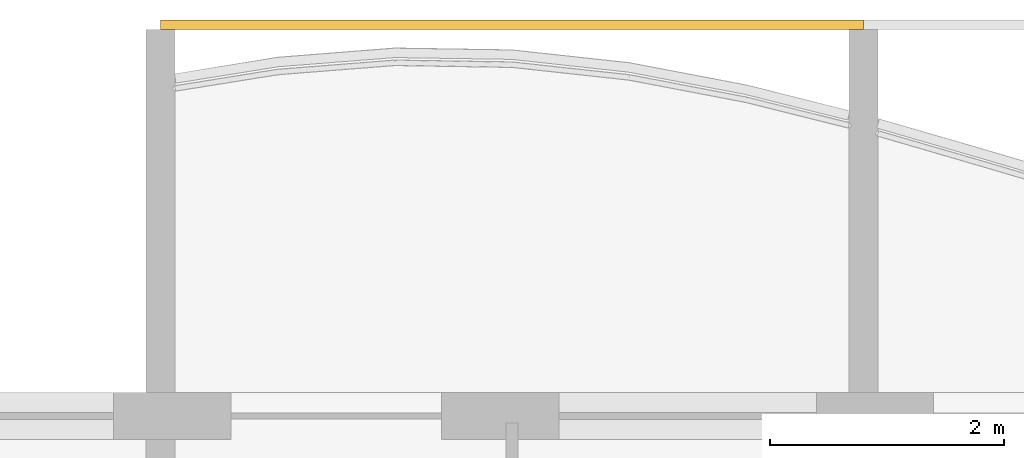
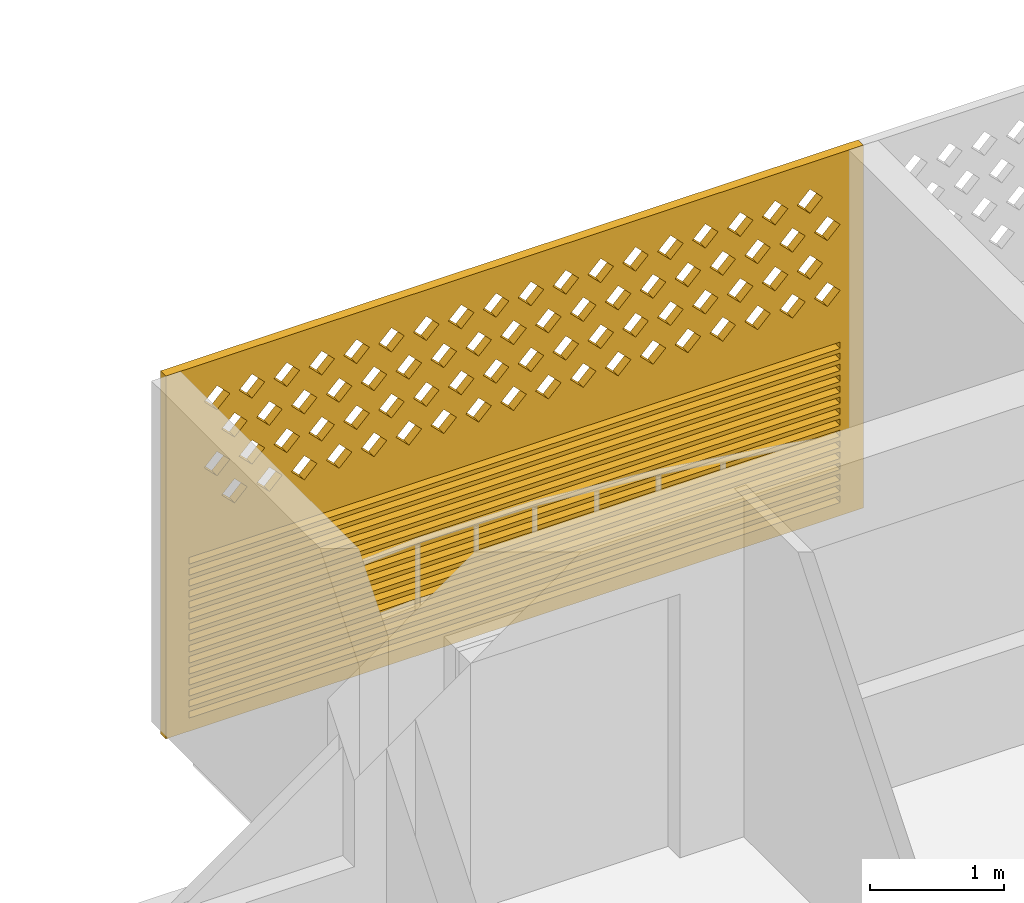
# One storey, part 22 of 28: 1 covering.
"""IFC4 building model written with IfcOpenShell, lengths in metres."""

from ifc_helpers import new_model, si_unit, direction, frame, origin, place, context, subcontext, project, spatial, polyline, outline, extrude, source, transform, mapped, material, material_profile, profile_set, type_object, element, save


model = new_model("IFC4")

# Units and contexts
model_context = context("Model", 3, precision=1e-05, world=origin(), true_north=direction((0.0, 1.0)))
body_context = subcontext(model_context, "Body", "Model", "MODEL_VIEW")
ifc_project = project(units=[si_unit("LENGTHUNIT", "METRE"), si_unit("AREAUNIT", "SQUARE_METRE"), si_unit("VOLUMEUNIT", "CUBIC_METRE"), si_unit("PLANEANGLEUNIT", "RADIAN"), si_unit("MASSUNIT", "GRAM", prefix="KILO")], contexts=[model_context])

# Site, building, storey
site_placement = place(None, origin())
site = spatial("IfcSite", under=ifc_project, at=site_placement, CompositionType="ELEMENT")
building_placement = place(site_placement, origin())
building = spatial("IfcBuilding", under=site, at=building_placement, Name="Poui Terraces", CompositionType="ELEMENT")
storey_placement = place(building_placement, frame((0.0, 0.0, 188.39990234375)))
storey = spatial("IfcBuildingStorey", under=building, at=storey_placement, Name="L52", CompositionType="ELEMENT", Elevation=188.39990234375)

# Covering
ifc_material = material(Name="Terracotta screen", Category="masonry")
ifc_material_profile = material_profile(ifc_material, outline(polyline([(-3.0, -1.64990234375), (3.0, -1.64990234375), (3.0, 1.64990234375), (-3.0, 1.64990234375), (-3.0, -1.64990234375)]), holes=[polyline([(-2.800048828125, 0.39990234375), (-2.68994140625, 0.2900390625), (-2.580078125, 0.39990234375), (-2.68994140625, 0.510009765625), (-2.800048828125, 0.39990234375)]), polyline([(-2.5, 0.39990234375), (-2.389892578125, 0.2900390625), (-2.280029296875, 0.39990234375), (-2.389892578125, 0.510009765625), (-2.5, 0.39990234375)]), polyline([(-2.199951171875, 0.39990234375), (-2.090087890625, 0.2900390625), (-1.97998046875, 0.39990234375), (-2.090087890625, 0.510009765625), (-2.199951171875, 0.39990234375)]), polyline([(-1.89990234375, 0.39990234375), (-1.7900390625, 0.2900390625), (-1.679931640625, 0.39990234375), (-1.7900390625, 0.510009765625), (-1.89990234375, 0.39990234375)]), polyline([(-1.60009765625, 0.39990234375), (-1.489990234375, 0.2900390625), (-1.3798828125, 0.39990234375), (-1.489990234375, 0.510009765625), (-1.60009765625, 0.39990234375)]), polyline([(-1.300048828125, 0.39990234375), (-1.18994140625, 0.2900390625), (-1.080078125, 0.39990234375), (-1.18994140625, 0.510009765625), (-1.300048828125, 0.39990234375)]), polyline([(-1.0, 0.39990234375), (-0.889892578125, 0.2900390625), (-0.780029296875, 0.39990234375), (-0.889892578125, 0.510009765625), (-1.0, 0.39990234375)]), polyline([(-0.699951171875, 0.39990234375), (-0.590087890625, 0.2900390625), (-0.47998046875, 0.39990234375), (-0.590087890625, 0.510009765625), (-0.699951171875, 0.39990234375)]), polyline([(-0.39990234375, 0.39990234375), (-0.2900390625, 0.2900390625), (-0.179931640625, 0.39990234375), (-0.2900390625, 0.510009765625), (-0.39990234375, 0.39990234375)]), polyline([(-0.10009765625, 0.39990234375), (0.010009765625, 0.2900390625), (0.1201171875, 0.39990234375), (0.010009765625, 0.510009765625), (-0.10009765625, 0.39990234375)]), polyline([(0.199951171875, 0.39990234375), (0.31005859375, 0.2900390625), (0.419921875, 0.39990234375), (0.31005859375, 0.510009765625), (0.199951171875, 0.39990234375)]), polyline([(0.5, 0.39990234375), (0.610107421875, 0.2900390625), (0.719970703125, 0.39990234375), (0.610107421875, 0.510009765625), (0.5, 0.39990234375)]), polyline([(0.800048828125, 0.39990234375), (0.909912109375, 0.2900390625), (1.02001953125, 0.39990234375), (0.909912109375, 0.510009765625), (0.800048828125, 0.39990234375)]), polyline([(1.10009765625, 0.39990234375), (1.2099609375, 0.2900390625), (1.320068359375, 0.39990234375), (1.2099609375, 0.510009765625), (1.10009765625, 0.39990234375)]), polyline([(1.39990234375, 0.39990234375), (1.510009765625, 0.2900390625), (1.6201171875, 0.39990234375), (1.510009765625, 0.510009765625), (1.39990234375, 0.39990234375)]), polyline([(1.699951171875, 0.39990234375), (1.81005859375, 0.2900390625), (1.919921875, 0.39990234375), (1.81005859375, 0.510009765625), (1.699951171875, 0.39990234375)]), polyline([(2.0, 0.39990234375), (2.110107421875, 0.2900390625), (2.219970703125, 0.39990234375), (2.110107421875, 0.510009765625), (2.0, 0.39990234375)]), polyline([(2.300048828125, 0.39990234375), (2.409912109375, 0.2900390625), (2.52001953125, 0.39990234375), (2.409912109375, 0.510009765625), (2.300048828125, 0.39990234375)]), polyline([(-2.64990234375, 0.699951171875), (-2.5400390625, 0.590087890625), (-2.429931640625, 0.699951171875), (-2.5400390625, 0.81005859375), (-2.64990234375, 0.699951171875)]), polyline([(-2.35009765625, 0.699951171875), (-2.239990234375, 0.590087890625), (-2.1298828125, 0.699951171875), (-2.239990234375, 0.81005859375), (-2.35009765625, 0.699951171875)]), polyline([(-2.050048828125, 0.699951171875), (-1.93994140625, 0.590087890625), (-1.830078125, 0.699951171875), (-1.93994140625, 0.81005859375), (-2.050048828125, 0.699951171875)]), polyline([(-1.75, 0.699951171875), (-1.639892578125, 0.590087890625), (-1.530029296875, 0.699951171875), (-1.639892578125, 0.81005859375), (-1.75, 0.699951171875)]), polyline([(-1.449951171875, 0.699951171875), (-1.340087890625, 0.590087890625), (-1.22998046875, 0.699951171875), (-1.340087890625, 0.81005859375), (-1.449951171875, 0.699951171875)]), polyline([(-1.14990234375, 0.699951171875), (-1.0400390625, 0.590087890625), (-0.929931640625, 0.699951171875), (-1.0400390625, 0.81005859375), (-1.14990234375, 0.699951171875)]), polyline([(-0.85009765625, 0.699951171875), (-0.739990234375, 0.590087890625), (-0.6298828125, 0.699951171875), (-0.739990234375, 0.81005859375), (-0.85009765625, 0.699951171875)]), polyline([(-0.550048828125, 0.699951171875), (-0.43994140625, 0.590087890625), (-0.330078125, 0.699951171875), (-0.43994140625, 0.81005859375), (-0.550048828125, 0.699951171875)]), polyline([(-0.25, 0.699951171875), (-0.139892578125, 0.590087890625), (-0.030029296875, 0.699951171875), (-0.139892578125, 0.81005859375), (-0.25, 0.699951171875)]), polyline([(0.050048828125, 0.699951171875), (0.159912109375, 0.590087890625), (0.27001953125, 0.699951171875), (0.159912109375, 0.81005859375), (0.050048828125, 0.699951171875)]), polyline([(0.35009765625, 0.699951171875), (0.4599609375, 0.590087890625), (0.570068359375, 0.699951171875), (0.4599609375, 0.81005859375), (0.35009765625, 0.699951171875)]), polyline([(0.64990234375, 0.699951171875), (0.760009765625, 0.590087890625), (0.8701171875, 0.699951171875), (0.760009765625, 0.81005859375), (0.64990234375, 0.699951171875)]), polyline([(0.949951171875, 0.699951171875), (1.06005859375, 0.590087890625), (1.169921875, 0.699951171875), (1.06005859375, 0.81005859375), (0.949951171875, 0.699951171875)]), polyline([(1.25, 0.699951171875), (1.360107421875, 0.590087890625), (1.469970703125, 0.699951171875), (1.360107421875, 0.81005859375), (1.25, 0.699951171875)]), polyline([(1.550048828125, 0.699951171875), (1.659912109375, 0.590087890625), (1.77001953125, 0.699951171875), (1.659912109375, 0.81005859375), (1.550048828125, 0.699951171875)]), polyline([(1.85009765625, 0.699951171875), (1.9599609375, 0.590087890625), (2.070068359375, 0.699951171875), (1.9599609375, 0.81005859375), (1.85009765625, 0.699951171875)]), polyline([(2.14990234375, 0.699951171875), (2.260009765625, 0.590087890625), (2.3701171875, 0.699951171875), (2.260009765625, 0.81005859375), (2.14990234375, 0.699951171875)]), polyline([(2.449951171875, 0.699951171875), (2.56005859375, 0.590087890625), (2.669921875, 0.699951171875), (2.56005859375, 0.81005859375), (2.449951171875, 0.699951171875)]), polyline([(-2.800048828125, 1.0), (-2.68994140625, 0.889892578125), (-2.580078125, 1.0), (-2.68994140625, 1.110107421875), (-2.800048828125, 1.0)]), polyline([(-2.5, 1.0), (-2.389892578125, 0.889892578125), (-2.280029296875, 1.0), (-2.389892578125, 1.110107421875), (-2.5, 1.0)]), polyline([(-2.199951171875, 1.0), (-2.090087890625, 0.889892578125), (-1.97998046875, 1.0), (-2.090087890625, 1.110107421875), (-2.199951171875, 1.0)]), polyline([(-1.89990234375, 1.0), (-1.7900390625, 0.889892578125), (-1.679931640625, 1.0), (-1.7900390625, 1.110107421875), (-1.89990234375, 1.0)]), polyline([(-1.60009765625, 1.0), (-1.489990234375, 0.889892578125), (-1.3798828125, 1.0), (-1.489990234375, 1.110107421875), (-1.60009765625, 1.0)]), polyline([(-1.300048828125, 1.0), (-1.18994140625, 0.889892578125), (-1.080078125, 1.0), (-1.18994140625, 1.110107421875), (-1.300048828125, 1.0)]), polyline([(-1.0, 1.0), (-0.889892578125, 0.889892578125), (-0.780029296875, 1.0), (-0.889892578125, 1.110107421875), (-1.0, 1.0)]), polyline([(-0.699951171875, 1.0), (-0.590087890625, 0.889892578125), (-0.47998046875, 1.0), (-0.590087890625, 1.110107421875), (-0.699951171875, 1.0)]), polyline([(-0.39990234375, 1.0), (-0.2900390625, 0.889892578125), (-0.179931640625, 1.0), (-0.2900390625, 1.110107421875), (-0.39990234375, 1.0)]), polyline([(-0.10009765625, 1.0), (0.010009765625, 0.889892578125), (0.1201171875, 1.0), (0.010009765625, 1.110107421875), (-0.10009765625, 1.0)]), polyline([(0.199951171875, 1.0), (0.31005859375, 0.889892578125), (0.419921875, 1.0), (0.31005859375, 1.110107421875), (0.199951171875, 1.0)]), polyline([(0.5, 1.0), (0.610107421875, 0.889892578125), (0.719970703125, 1.0), (0.610107421875, 1.110107421875), (0.5, 1.0)]), polyline([(0.800048828125, 1.0), (0.909912109375, 0.889892578125), (1.02001953125, 1.0), (0.909912109375, 1.110107421875), (0.800048828125, 1.0)]), polyline([(1.10009765625, 1.0), (1.2099609375, 0.889892578125), (1.320068359375, 1.0), (1.2099609375, 1.110107421875), (1.10009765625, 1.0)]), polyline([(1.39990234375, 1.0), (1.510009765625, 0.889892578125), (1.6201171875, 1.0), (1.510009765625, 1.110107421875), (1.39990234375, 1.0)]), polyline([(1.699951171875, 1.0), (1.81005859375, 0.889892578125), (1.919921875, 1.0), (1.81005859375, 1.110107421875), (1.699951171875, 1.0)]), polyline([(2.0, 1.0), (2.110107421875, 0.889892578125), (2.219970703125, 1.0), (2.110107421875, 1.110107421875), (2.0, 1.0)]), polyline([(2.300048828125, 1.0), (2.409912109375, 0.889892578125), (2.52001953125, 1.0), (2.409912109375, 1.110107421875), (2.300048828125, 1.0)]), polyline([(-2.64990234375, 1.300048828125), (-2.5400390625, 1.18994140625), (-2.429931640625, 1.300048828125), (-2.5400390625, 1.409912109375), (-2.64990234375, 1.300048828125)]), polyline([(-2.35009765625, 1.300048828125), (-2.239990234375, 1.18994140625), (-2.1298828125, 1.300048828125), (-2.239990234375, 1.409912109375), (-2.35009765625, 1.300048828125)]), polyline([(-2.050048828125, 1.300048828125), (-1.93994140625, 1.18994140625), (-1.830078125, 1.300048828125), (-1.93994140625, 1.409912109375), (-2.050048828125, 1.300048828125)]), polyline([(-1.75, 1.300048828125), (-1.639892578125, 1.18994140625), (-1.530029296875, 1.300048828125), (-1.639892578125, 1.409912109375), (-1.75, 1.300048828125)]), polyline([(-1.449951171875, 1.300048828125), (-1.340087890625, 1.18994140625), (-1.22998046875, 1.300048828125), (-1.340087890625, 1.409912109375), (-1.449951171875, 1.300048828125)]), polyline([(-1.14990234375, 1.300048828125), (-1.0400390625, 1.18994140625), (-0.929931640625, 1.300048828125), (-1.0400390625, 1.409912109375), (-1.14990234375, 1.300048828125)]), polyline([(-0.85009765625, 1.300048828125), (-0.739990234375, 1.18994140625), (-0.6298828125, 1.300048828125), (-0.739990234375, 1.409912109375), (-0.85009765625, 1.300048828125)]), polyline([(-0.550048828125, 1.300048828125), (-0.43994140625, 1.18994140625), (-0.330078125, 1.300048828125), (-0.43994140625, 1.409912109375), (-0.550048828125, 1.300048828125)]), polyline([(-0.25, 1.300048828125), (-0.139892578125, 1.18994140625), (-0.030029296875, 1.300048828125), (-0.139892578125, 1.409912109375), (-0.25, 1.300048828125)]), polyline([(0.050048828125, 1.300048828125), (0.159912109375, 1.18994140625), (0.27001953125, 1.300048828125), (0.159912109375, 1.409912109375), (0.050048828125, 1.300048828125)]), polyline([(0.35009765625, 1.300048828125), (0.4599609375, 1.18994140625), (0.570068359375, 1.300048828125), (0.4599609375, 1.409912109375), (0.35009765625, 1.300048828125)]), polyline([(0.64990234375, 1.300048828125), (0.760009765625, 1.18994140625), (0.8701171875, 1.300048828125), (0.760009765625, 1.409912109375), (0.64990234375, 1.300048828125)]), polyline([(0.949951171875, 1.300048828125), (1.06005859375, 1.18994140625), (1.169921875, 1.300048828125), (1.06005859375, 1.409912109375), (0.949951171875, 1.300048828125)]), polyline([(1.25, 1.300048828125), (1.360107421875, 1.18994140625), (1.469970703125, 1.300048828125), (1.360107421875, 1.409912109375), (1.25, 1.300048828125)]), polyline([(1.550048828125, 1.300048828125), (1.659912109375, 1.18994140625), (1.77001953125, 1.300048828125), (1.659912109375, 1.409912109375), (1.550048828125, 1.300048828125)]), polyline([(1.85009765625, 1.300048828125), (1.9599609375, 1.18994140625), (2.070068359375, 1.300048828125), (1.9599609375, 1.409912109375), (1.85009765625, 1.300048828125)]), polyline([(2.14990234375, 1.300048828125), (2.260009765625, 1.18994140625), (2.3701171875, 1.300048828125), (2.260009765625, 1.409912109375), (2.14990234375, 1.300048828125)]), polyline([(2.449951171875, 1.300048828125), (2.56005859375, 1.18994140625), (2.669921875, 1.300048828125), (2.56005859375, 1.409912109375), (2.449951171875, 1.300048828125)]), polyline([(-2.800048828125, -1.530029296875), (2.800048828125, -1.530029296875), (2.800048828125, -1.469970703125), (-2.800048828125, -1.469970703125), (-2.800048828125, -1.530029296875)]), polyline([(-2.800048828125, -1.429931640625), (2.800048828125, -1.429931640625), (2.800048828125, -1.3701171875), (-2.800048828125, -1.3701171875), (-2.800048828125, -1.429931640625)]), polyline([(-2.800048828125, -1.330078125), (2.800048828125, -1.330078125), (2.800048828125, -1.27001953125), (-2.800048828125, -1.27001953125), (-2.800048828125, -1.330078125)]), polyline([(-2.800048828125, -1.22998046875), (2.800048828125, -1.22998046875), (2.800048828125, -1.169921875), (-2.800048828125, -1.169921875), (-2.800048828125, -1.22998046875)]), polyline([(-2.800048828125, -1.1298828125), (2.800048828125, -1.1298828125), (2.800048828125, -1.070068359375), (-2.800048828125, -1.070068359375), (-2.800048828125, -1.1298828125)]), polyline([(-2.800048828125, -1.030029296875), (2.800048828125, -1.030029296875), (2.800048828125, -0.969970703125), (-2.800048828125, -0.969970703125), (-2.800048828125, -1.030029296875)]), polyline([(-2.800048828125, -0.929931640625), (2.800048828125, -0.929931640625), (2.800048828125, -0.8701171875), (-2.800048828125, -0.8701171875), (-2.800048828125, -0.929931640625)]), polyline([(-2.800048828125, -0.830078125), (2.800048828125, -0.830078125), (2.800048828125, -0.77001953125), (-2.800048828125, -0.77001953125), (-2.800048828125, -0.830078125)]), polyline([(-2.800048828125, -0.72998046875), (2.800048828125, -0.72998046875), (2.800048828125, -0.669921875), (-2.800048828125, -0.669921875), (-2.800048828125, -0.72998046875)]), polyline([(-2.800048828125, -0.6298828125), (2.800048828125, -0.6298828125), (2.800048828125, -0.570068359375), (-2.800048828125, -0.570068359375), (-2.800048828125, -0.6298828125)]), polyline([(-2.800048828125, -0.530029296875), (2.800048828125, -0.530029296875), (2.800048828125, -0.469970703125), (-2.800048828125, -0.469970703125), (-2.800048828125, -0.530029296875)]), polyline([(-2.800048828125, -0.429931640625), (2.800048828125, -0.429931640625), (2.800048828125, -0.3701171875), (-2.800048828125, -0.3701171875), (-2.800048828125, -0.429931640625)]), polyline([(-2.800048828125, -0.330078125), (2.800048828125, -0.330078125), (2.800048828125, -0.27001953125), (-2.800048828125, -0.27001953125), (-2.800048828125, -0.330078125)]), polyline([(-2.800048828125, -0.22998046875), (2.800048828125, -0.22998046875), (2.800048828125, -0.169921875), (-2.800048828125, -0.169921875), (-2.800048828125, -0.22998046875)]), polyline([(-2.800048828125, -0.1298828125), (2.800048828125, -0.1298828125), (2.800048828125, -0.070068359375), (-2.800048828125, -0.070068359375), (-2.800048828125, -0.1298828125)])]), Name="TERRACOTTA SCREEN AND JALOUSIE LOUVRE 6000X3300")
ifc_profile_set = profile_set([ifc_material_profile], Name="Terracotta screen")
covering_type = type_object("IfcCoveringType", Name="TERRACOTTA SCREEN AND JALOUSIE LOUVRE 6000X3300", PredefinedType="CLADDING", material=ifc_profile_set)
shared_shape = source(origin(), body_context, "Body", "SweptSolid", [
    extrude(outline(polyline([(-3.0, -1.64990234375), (3.0, -1.64990234375), (3.0, 1.64990234375), (-3.0, 1.64990234375), (-3.0, -1.64990234375)]), holes=[polyline([(-2.800048828125, 0.39990234375), (-2.68994140625, 0.2900390625), (-2.580078125, 0.39990234375), (-2.68994140625, 0.510009765625), (-2.800048828125, 0.39990234375)]), polyline([(-2.5, 0.39990234375), (-2.389892578125, 0.2900390625), (-2.280029296875, 0.39990234375), (-2.389892578125, 0.510009765625), (-2.5, 0.39990234375)]), polyline([(-2.199951171875, 0.39990234375), (-2.090087890625, 0.2900390625), (-1.97998046875, 0.39990234375), (-2.090087890625, 0.510009765625), (-2.199951171875, 0.39990234375)]), polyline([(-1.89990234375, 0.39990234375), (-1.7900390625, 0.2900390625), (-1.679931640625, 0.39990234375), (-1.7900390625, 0.510009765625), (-1.89990234375, 0.39990234375)]), polyline([(-1.60009765625, 0.39990234375), (-1.489990234375, 0.2900390625), (-1.3798828125, 0.39990234375), (-1.489990234375, 0.510009765625), (-1.60009765625, 0.39990234375)]), polyline([(-1.300048828125, 0.39990234375), (-1.18994140625, 0.2900390625), (-1.080078125, 0.39990234375), (-1.18994140625, 0.510009765625), (-1.300048828125, 0.39990234375)]), polyline([(-1.0, 0.39990234375), (-0.889892578125, 0.2900390625), (-0.780029296875, 0.39990234375), (-0.889892578125, 0.510009765625), (-1.0, 0.39990234375)]), polyline([(-0.699951171875, 0.39990234375), (-0.590087890625, 0.2900390625), (-0.47998046875, 0.39990234375), (-0.590087890625, 0.510009765625), (-0.699951171875, 0.39990234375)]), polyline([(-0.39990234375, 0.39990234375), (-0.2900390625, 0.2900390625), (-0.179931640625, 0.39990234375), (-0.2900390625, 0.510009765625), (-0.39990234375, 0.39990234375)]), polyline([(-0.10009765625, 0.39990234375), (0.010009765625, 0.2900390625), (0.1201171875, 0.39990234375), (0.010009765625, 0.510009765625), (-0.10009765625, 0.39990234375)]), polyline([(0.199951171875, 0.39990234375), (0.31005859375, 0.2900390625), (0.419921875, 0.39990234375), (0.31005859375, 0.510009765625), (0.199951171875, 0.39990234375)]), polyline([(0.5, 0.39990234375), (0.610107421875, 0.2900390625), (0.719970703125, 0.39990234375), (0.610107421875, 0.510009765625), (0.5, 0.39990234375)]), polyline([(0.800048828125, 0.39990234375), (0.909912109375, 0.2900390625), (1.02001953125, 0.39990234375), (0.909912109375, 0.510009765625), (0.800048828125, 0.39990234375)]), polyline([(1.10009765625, 0.39990234375), (1.2099609375, 0.2900390625), (1.320068359375, 0.39990234375), (1.2099609375, 0.510009765625), (1.10009765625, 0.39990234375)]), polyline([(1.39990234375, 0.39990234375), (1.510009765625, 0.2900390625), (1.6201171875, 0.39990234375), (1.510009765625, 0.510009765625), (1.39990234375, 0.39990234375)]), polyline([(1.699951171875, 0.39990234375), (1.81005859375, 0.2900390625), (1.919921875, 0.39990234375), (1.81005859375, 0.510009765625), (1.699951171875, 0.39990234375)]), polyline([(2.0, 0.39990234375), (2.110107421875, 0.2900390625), (2.219970703125, 0.39990234375), (2.110107421875, 0.510009765625), (2.0, 0.39990234375)]), polyline([(2.300048828125, 0.39990234375), (2.409912109375, 0.2900390625), (2.52001953125, 0.39990234375), (2.409912109375, 0.510009765625), (2.300048828125, 0.39990234375)]), polyline([(-2.64990234375, 0.699951171875), (-2.5400390625, 0.590087890625), (-2.429931640625, 0.699951171875), (-2.5400390625, 0.81005859375), (-2.64990234375, 0.699951171875)]), polyline([(-2.35009765625, 0.699951171875), (-2.239990234375, 0.590087890625), (-2.1298828125, 0.699951171875), (-2.239990234375, 0.81005859375), (-2.35009765625, 0.699951171875)]), polyline([(-2.050048828125, 0.699951171875), (-1.93994140625, 0.590087890625), (-1.830078125, 0.699951171875), (-1.93994140625, 0.81005859375), (-2.050048828125, 0.699951171875)]), polyline([(-1.75, 0.699951171875), (-1.639892578125, 0.590087890625), (-1.530029296875, 0.699951171875), (-1.639892578125, 0.81005859375), (-1.75, 0.699951171875)]), polyline([(-1.449951171875, 0.699951171875), (-1.340087890625, 0.590087890625), (-1.22998046875, 0.699951171875), (-1.340087890625, 0.81005859375), (-1.449951171875, 0.699951171875)]), polyline([(-1.14990234375, 0.699951171875), (-1.0400390625, 0.590087890625), (-0.929931640625, 0.699951171875), (-1.0400390625, 0.81005859375), (-1.14990234375, 0.699951171875)]), polyline([(-0.85009765625, 0.699951171875), (-0.739990234375, 0.590087890625), (-0.6298828125, 0.699951171875), (-0.739990234375, 0.81005859375), (-0.85009765625, 0.699951171875)]), polyline([(-0.550048828125, 0.699951171875), (-0.43994140625, 0.590087890625), (-0.330078125, 0.699951171875), (-0.43994140625, 0.81005859375), (-0.550048828125, 0.699951171875)]), polyline([(-0.25, 0.699951171875), (-0.139892578125, 0.590087890625), (-0.030029296875, 0.699951171875), (-0.139892578125, 0.81005859375), (-0.25, 0.699951171875)]), polyline([(0.050048828125, 0.699951171875), (0.159912109375, 0.590087890625), (0.27001953125, 0.699951171875), (0.159912109375, 0.81005859375), (0.050048828125, 0.699951171875)]), polyline([(0.35009765625, 0.699951171875), (0.4599609375, 0.590087890625), (0.570068359375, 0.699951171875), (0.4599609375, 0.81005859375), (0.35009765625, 0.699951171875)]), polyline([(0.64990234375, 0.699951171875), (0.760009765625, 0.590087890625), (0.8701171875, 0.699951171875), (0.760009765625, 0.81005859375), (0.64990234375, 0.699951171875)]), polyline([(0.949951171875, 0.699951171875), (1.06005859375, 0.590087890625), (1.169921875, 0.699951171875), (1.06005859375, 0.81005859375), (0.949951171875, 0.699951171875)]), polyline([(1.25, 0.699951171875), (1.360107421875, 0.590087890625), (1.469970703125, 0.699951171875), (1.360107421875, 0.81005859375), (1.25, 0.699951171875)]), polyline([(1.550048828125, 0.699951171875), (1.659912109375, 0.590087890625), (1.77001953125, 0.699951171875), (1.659912109375, 0.81005859375), (1.550048828125, 0.699951171875)]), polyline([(1.85009765625, 0.699951171875), (1.9599609375, 0.590087890625), (2.070068359375, 0.699951171875), (1.9599609375, 0.81005859375), (1.85009765625, 0.699951171875)]), polyline([(2.14990234375, 0.699951171875), (2.260009765625, 0.590087890625), (2.3701171875, 0.699951171875), (2.260009765625, 0.81005859375), (2.14990234375, 0.699951171875)]), polyline([(2.449951171875, 0.699951171875), (2.56005859375, 0.590087890625), (2.669921875, 0.699951171875), (2.56005859375, 0.81005859375), (2.449951171875, 0.699951171875)]), polyline([(-2.800048828125, 1.0), (-2.68994140625, 0.889892578125), (-2.580078125, 1.0), (-2.68994140625, 1.110107421875), (-2.800048828125, 1.0)]), polyline([(-2.5, 1.0), (-2.389892578125, 0.889892578125), (-2.280029296875, 1.0), (-2.389892578125, 1.110107421875), (-2.5, 1.0)]), polyline([(-2.199951171875, 1.0), (-2.090087890625, 0.889892578125), (-1.97998046875, 1.0), (-2.090087890625, 1.110107421875), (-2.199951171875, 1.0)]), polyline([(-1.89990234375, 1.0), (-1.7900390625, 0.889892578125), (-1.679931640625, 1.0), (-1.7900390625, 1.110107421875), (-1.89990234375, 1.0)]), polyline([(-1.60009765625, 1.0), (-1.489990234375, 0.889892578125), (-1.3798828125, 1.0), (-1.489990234375, 1.110107421875), (-1.60009765625, 1.0)]), polyline([(-1.300048828125, 1.0), (-1.18994140625, 0.889892578125), (-1.080078125, 1.0), (-1.18994140625, 1.110107421875), (-1.300048828125, 1.0)]), polyline([(-1.0, 1.0), (-0.889892578125, 0.889892578125), (-0.780029296875, 1.0), (-0.889892578125, 1.110107421875), (-1.0, 1.0)]), polyline([(-0.699951171875, 1.0), (-0.590087890625, 0.889892578125), (-0.47998046875, 1.0), (-0.590087890625, 1.110107421875), (-0.699951171875, 1.0)]), polyline([(-0.39990234375, 1.0), (-0.2900390625, 0.889892578125), (-0.179931640625, 1.0), (-0.2900390625, 1.110107421875), (-0.39990234375, 1.0)]), polyline([(-0.10009765625, 1.0), (0.010009765625, 0.889892578125), (0.1201171875, 1.0), (0.010009765625, 1.110107421875), (-0.10009765625, 1.0)]), polyline([(0.199951171875, 1.0), (0.31005859375, 0.889892578125), (0.419921875, 1.0), (0.31005859375, 1.110107421875), (0.199951171875, 1.0)]), polyline([(0.5, 1.0), (0.610107421875, 0.889892578125), (0.719970703125, 1.0), (0.610107421875, 1.110107421875), (0.5, 1.0)]), polyline([(0.800048828125, 1.0), (0.909912109375, 0.889892578125), (1.02001953125, 1.0), (0.909912109375, 1.110107421875), (0.800048828125, 1.0)]), polyline([(1.10009765625, 1.0), (1.2099609375, 0.889892578125), (1.320068359375, 1.0), (1.2099609375, 1.110107421875), (1.10009765625, 1.0)]), polyline([(1.39990234375, 1.0), (1.510009765625, 0.889892578125), (1.6201171875, 1.0), (1.510009765625, 1.110107421875), (1.39990234375, 1.0)]), polyline([(1.699951171875, 1.0), (1.81005859375, 0.889892578125), (1.919921875, 1.0), (1.81005859375, 1.110107421875), (1.699951171875, 1.0)]), polyline([(2.0, 1.0), (2.110107421875, 0.889892578125), (2.219970703125, 1.0), (2.110107421875, 1.110107421875), (2.0, 1.0)]), polyline([(2.300048828125, 1.0), (2.409912109375, 0.889892578125), (2.52001953125, 1.0), (2.409912109375, 1.110107421875), (2.300048828125, 1.0)]), polyline([(-2.64990234375, 1.300048828125), (-2.5400390625, 1.18994140625), (-2.429931640625, 1.300048828125), (-2.5400390625, 1.409912109375), (-2.64990234375, 1.300048828125)]), polyline([(-2.35009765625, 1.300048828125), (-2.239990234375, 1.18994140625), (-2.1298828125, 1.300048828125), (-2.239990234375, 1.409912109375), (-2.35009765625, 1.300048828125)]), polyline([(-2.050048828125, 1.300048828125), (-1.93994140625, 1.18994140625), (-1.830078125, 1.300048828125), (-1.93994140625, 1.409912109375), (-2.050048828125, 1.300048828125)]), polyline([(-1.75, 1.300048828125), (-1.639892578125, 1.18994140625), (-1.530029296875, 1.300048828125), (-1.639892578125, 1.409912109375), (-1.75, 1.300048828125)]), polyline([(-1.449951171875, 1.300048828125), (-1.340087890625, 1.18994140625), (-1.22998046875, 1.300048828125), (-1.340087890625, 1.409912109375), (-1.449951171875, 1.300048828125)]), polyline([(-1.14990234375, 1.300048828125), (-1.0400390625, 1.18994140625), (-0.929931640625, 1.300048828125), (-1.0400390625, 1.409912109375), (-1.14990234375, 1.300048828125)]), polyline([(-0.85009765625, 1.300048828125), (-0.739990234375, 1.18994140625), (-0.6298828125, 1.300048828125), (-0.739990234375, 1.409912109375), (-0.85009765625, 1.300048828125)]), polyline([(-0.550048828125, 1.300048828125), (-0.43994140625, 1.18994140625), (-0.330078125, 1.300048828125), (-0.43994140625, 1.409912109375), (-0.550048828125, 1.300048828125)]), polyline([(-0.25, 1.300048828125), (-0.139892578125, 1.18994140625), (-0.030029296875, 1.300048828125), (-0.139892578125, 1.409912109375), (-0.25, 1.300048828125)]), polyline([(0.050048828125, 1.300048828125), (0.159912109375, 1.18994140625), (0.27001953125, 1.300048828125), (0.159912109375, 1.409912109375), (0.050048828125, 1.300048828125)]), polyline([(0.35009765625, 1.300048828125), (0.4599609375, 1.18994140625), (0.570068359375, 1.300048828125), (0.4599609375, 1.409912109375), (0.35009765625, 1.300048828125)]), polyline([(0.64990234375, 1.300048828125), (0.760009765625, 1.18994140625), (0.8701171875, 1.300048828125), (0.760009765625, 1.409912109375), (0.64990234375, 1.300048828125)]), polyline([(0.949951171875, 1.300048828125), (1.06005859375, 1.18994140625), (1.169921875, 1.300048828125), (1.06005859375, 1.409912109375), (0.949951171875, 1.300048828125)]), polyline([(1.25, 1.300048828125), (1.360107421875, 1.18994140625), (1.469970703125, 1.300048828125), (1.360107421875, 1.409912109375), (1.25, 1.300048828125)]), polyline([(1.550048828125, 1.300048828125), (1.659912109375, 1.18994140625), (1.77001953125, 1.300048828125), (1.659912109375, 1.409912109375), (1.550048828125, 1.300048828125)]), polyline([(1.85009765625, 1.300048828125), (1.9599609375, 1.18994140625), (2.070068359375, 1.300048828125), (1.9599609375, 1.409912109375), (1.85009765625, 1.300048828125)]), polyline([(2.14990234375, 1.300048828125), (2.260009765625, 1.18994140625), (2.3701171875, 1.300048828125), (2.260009765625, 1.409912109375), (2.14990234375, 1.300048828125)]), polyline([(2.449951171875, 1.300048828125), (2.56005859375, 1.18994140625), (2.669921875, 1.300048828125), (2.56005859375, 1.409912109375), (2.449951171875, 1.300048828125)]), polyline([(-2.800048828125, -1.530029296875), (2.800048828125, -1.530029296875), (2.800048828125, -1.469970703125), (-2.800048828125, -1.469970703125), (-2.800048828125, -1.530029296875)]), polyline([(-2.800048828125, -1.429931640625), (2.800048828125, -1.429931640625), (2.800048828125, -1.3701171875), (-2.800048828125, -1.3701171875), (-2.800048828125, -1.429931640625)]), polyline([(-2.800048828125, -1.330078125), (2.800048828125, -1.330078125), (2.800048828125, -1.27001953125), (-2.800048828125, -1.27001953125), (-2.800048828125, -1.330078125)]), polyline([(-2.800048828125, -1.22998046875), (2.800048828125, -1.22998046875), (2.800048828125, -1.169921875), (-2.800048828125, -1.169921875), (-2.800048828125, -1.22998046875)]), polyline([(-2.800048828125, -1.1298828125), (2.800048828125, -1.1298828125), (2.800048828125, -1.070068359375), (-2.800048828125, -1.070068359375), (-2.800048828125, -1.1298828125)]), polyline([(-2.800048828125, -1.030029296875), (2.800048828125, -1.030029296875), (2.800048828125, -0.969970703125), (-2.800048828125, -0.969970703125), (-2.800048828125, -1.030029296875)]), polyline([(-2.800048828125, -0.929931640625), (2.800048828125, -0.929931640625), (2.800048828125, -0.8701171875), (-2.800048828125, -0.8701171875), (-2.800048828125, -0.929931640625)]), polyline([(-2.800048828125, -0.830078125), (2.800048828125, -0.830078125), (2.800048828125, -0.77001953125), (-2.800048828125, -0.77001953125), (-2.800048828125, -0.830078125)]), polyline([(-2.800048828125, -0.72998046875), (2.800048828125, -0.72998046875), (2.800048828125, -0.669921875), (-2.800048828125, -0.669921875), (-2.800048828125, -0.72998046875)]), polyline([(-2.800048828125, -0.6298828125), (2.800048828125, -0.6298828125), (2.800048828125, -0.570068359375), (-2.800048828125, -0.570068359375), (-2.800048828125, -0.6298828125)]), polyline([(-2.800048828125, -0.530029296875), (2.800048828125, -0.530029296875), (2.800048828125, -0.469970703125), (-2.800048828125, -0.469970703125), (-2.800048828125, -0.530029296875)]), polyline([(-2.800048828125, -0.429931640625), (2.800048828125, -0.429931640625), (2.800048828125, -0.3701171875), (-2.800048828125, -0.3701171875), (-2.800048828125, -0.429931640625)]), polyline([(-2.800048828125, -0.330078125), (2.800048828125, -0.330078125), (2.800048828125, -0.27001953125), (-2.800048828125, -0.27001953125), (-2.800048828125, -0.330078125)]), polyline([(-2.800048828125, -0.22998046875), (2.800048828125, -0.22998046875), (2.800048828125, -0.169921875), (-2.800048828125, -0.169921875), (-2.800048828125, -0.22998046875)]), polyline([(-2.800048828125, -0.1298828125), (2.800048828125, -0.1298828125), (2.800048828125, -0.070068359375), (-2.800048828125, -0.070068359375), (-2.800048828125, -0.1298828125)])]), origin(), (0.0, 0.0, 1.0), 0.080078125),
])
covering_placement = place(storey_placement, frame((57.0, 44.5, 1.4501953125), z_axis=(0.0, 1.0, 0.0), x_axis=(-1.0, 0.0, 0.0)))
element("IfcCovering", 1, at=covering_placement, inside=storey, type_object=covering_type, Name="SOLAR SCREEN AND JALOUSIE LOUVRE", PredefinedType="CLADDING", context=body_context, shape_type="MappedRepresentation", body=[
    mapped(shared_shape, transform((0.0, 0.0, 0.0))),
])

save(model, "model.ifc")
